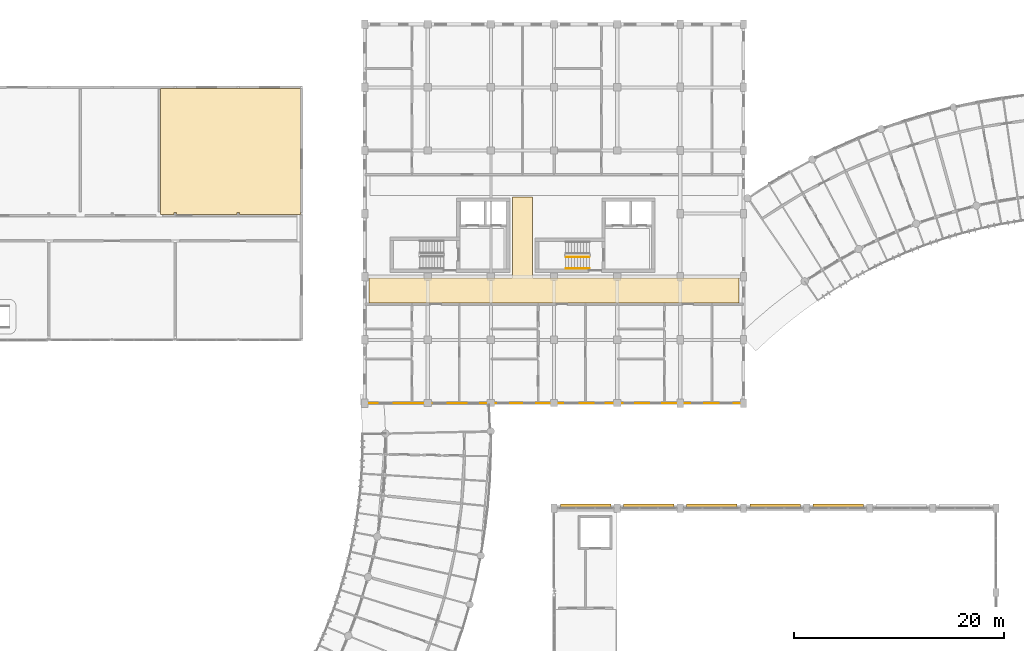
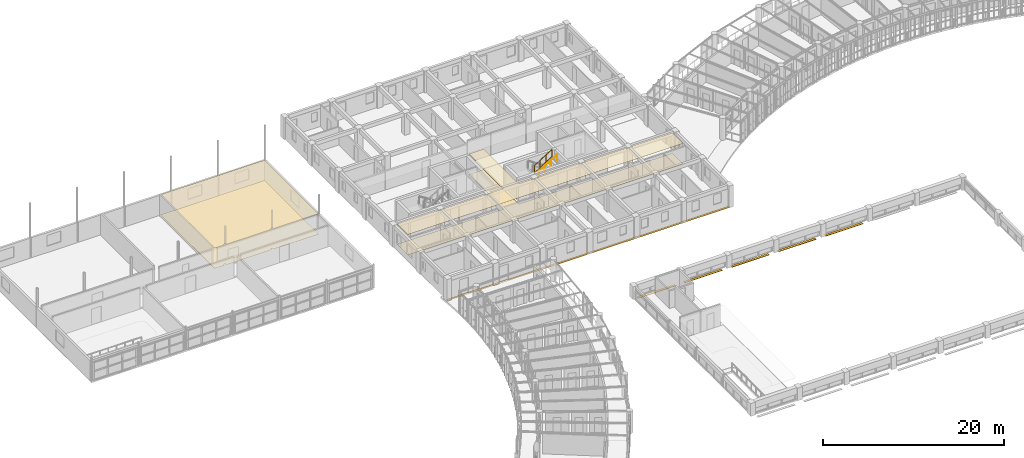
# One storey, part 130 of 137: 5 coverings, 5 shading devices, 2 railings.
"""IFC4 building model written with IfcOpenShell, lengths in metres."""

from ifc_helpers import new_model, si_unit, direction, frame, origin, origin_2d, place, context, subcontext, project, spatial, polyline, rectangle, circle, outline, extrude, material, layer, layer_set, type_object, element, save


model = new_model("IFC4")

# Units and contexts
model_context = context("Model", 3, precision=1e-05, world=origin(), true_north=direction((0.0, 1.0)))
body_context = subcontext(model_context, "Body", "Model", "MODEL_VIEW")
ifc_project = project(units=[si_unit("LENGTHUNIT", "METRE"), si_unit("AREAUNIT", "SQUARE_METRE"), si_unit("VOLUMEUNIT", "CUBIC_METRE"), si_unit("PLANEANGLEUNIT", "RADIAN"), si_unit("MASSUNIT", "GRAM", prefix="KILO"), si_unit("POWERUNIT", "WATT"), si_unit("THERMODYNAMICTEMPERATUREUNIT", "KELVIN")], contexts=[model_context])

# Site, building, storey
site_placement = place(None, origin())
site = spatial("IfcSite", under=ifc_project, at=site_placement, CompositionType="ELEMENT")
building_placement = place(site_placement, origin())
building = spatial("IfcBuilding", under=site, at=building_placement, Name="Ruvembo Vaulted Housing Court", CompositionType="ELEMENT")
storey_placement = place(building_placement, frame((0.0, 0.0, 4.5)))
storey = spatial("IfcBuildingStorey", under=building, at=storey_placement, Name="L01", CompositionType="ELEMENT", Elevation=4.5)

# Coverings
ifc_material_1 = material(Name="Perforated Mineral-Fibre Acoustic Tile", Category="gypsum")
ifc_layer_1 = layer(ifc_material_1, 0.02001953125, Name="Perforated Mineral-Fibre Acoustic Tile")
ifc_layer_set_1 = layer_set([ifc_layer_1], Name="Perforated Mineral-Fibre Acoustic Tile")
covering_type_1 = type_object("IfcCoveringType", Name="COV-CEIL-ACOUST", PredefinedType="CEILING", material=ifc_layer_set_1)
covering_1_placement = place(storey_placement, frame((0.0, 0.0, 2.75)))
element("IfcCovering", 1, at=covering_1_placement, inside=storey, type_object=covering_type_1, Name="Indoor Rainy-Day Play Terrace Ceiling", PredefinedType="CEILING", context=body_context, shape_type="SweptSolid", body=[
    extrude(outline(polyline([(30.110107421875, 107.889892578125), (29.889892578125, 107.889892578125), (28.610107421875, 107.889892578125), (28.610107421875, 95.909912109375), (29.889892578125, 95.909912109375), (29.889892578125, 96.110107421875), (30.110107421875, 96.110107421875), (30.110107421875, 95.909912109375), (35.889892578125, 95.909912109375), (35.889892578125, 96.110107421875), (36.110107421875, 96.110107421875), (36.110107421875, 95.909912109375), (41.889892578125, 95.909912109375), (41.889892578125, 96.110107421875), (41.889892578125, 107.889892578125), (36.110107421875, 107.889892578125), (35.889892578125, 107.889892578125), (30.110107421875, 107.889892578125)])), origin(), (0.0, 0.0, 1.0), 0.02001953125),
])
covering_2_placement = place(storey_placement, frame((0.0, 0.0, 2.75)))
element("IfcCovering", 2, at=covering_2_placement, inside=storey, type_object=covering_type_1, Name="Block B L01 Corridor Ceiling", PredefinedType="CEILING", context=body_context, shape_type="SweptSolid", body=[
    extrude(outline(polyline([(61.949951171875, 89.889892578125), (48.409912109375, 89.889892578125), (48.409912109375, 87.510009765625), (83.590087890625, 87.510009765625), (83.590087890625, 89.889892578125), (64.050048828125, 89.889892578125), (64.039306640625, 89.890380859375), (64.028564453125, 89.89208984375), (64.01806640625, 89.894775390625), (64.0078125, 89.8984375), (63.998046875, 89.903076171875), (63.989013671875, 89.908447265625), (63.980224609375, 89.9150390625), (63.97216796875, 89.922119140625), (63.965087890625, 89.93017578125), (63.95849609375, 89.93896484375), (63.952880859375, 89.947998046875), (63.948486328125, 89.9580078125), (63.944580078125, 89.968017578125), (63.942138671875, 89.978515625), (63.9404296875, 89.9892578125), (63.93994140625, 90.0), (63.93994140625, 97.590087890625), (62.06005859375, 97.590087890625), (62.06005859375, 90.0), (62.0595703125, 89.9892578125), (62.057861328125, 89.978515625), (62.055419921875, 89.968017578125), (62.051513671875, 89.9580078125), (62.047119140625, 89.947998046875), (62.04150390625, 89.93896484375), (62.034912109375, 89.93017578125), (62.02783203125, 89.922119140625), (62.019775390625, 89.9150390625), (62.010986328125, 89.908447265625), (62.001953125, 89.903076171875), (61.9921875, 89.8984375), (61.98193359375, 89.894775390625), (61.971435546875, 89.89208984375), (61.960693359375, 89.890380859375), (61.949951171875, 89.889892578125)])), origin(), (0.0, 0.0, 1.0), 0.02001953125),
])
ifc_material_2 = material(Name="Lime-Cement Mineral Render", Category="plaster")
ifc_layer_2 = layer(ifc_material_2, 0.02490234375, Name="Lime-Cement Mineral Render")
ifc_layer_set_2 = layer_set([ifc_layer_2], Name="Lime-Cement Mineral Render")
covering_type_2 = type_object("IfcCoveringType", Name="COV-CLAD-RENDER", PredefinedType="CLADDING", material=ifc_layer_set_2)
covering_3_placement = place(storey_placement, frame((0.0, 0.0, -0.25)))
element("IfcCovering", 3, at=covering_3_placement, inside=storey, type_object=covering_type_2, Name="Block B L01 Mineral Render Fascia Band", PredefinedType="CLADDING", context=body_context, shape_type="SweptSolid", body=[
    extrude(outline(polyline([(48.0, 77.969970703125), (84.0, 77.969970703125), (84.0, 78.0), (48.0, 78.0), (48.0, 77.969970703125)])), origin(), (0.0, 0.0, 1.0), 0.25),
])
ifc_material_3 = material(Name="Polished Cement-Aggregate Terrazzo", Category="stone")
ifc_layer_3 = layer(ifc_material_3, 0.02197265625, Name="Polished Cement-Aggregate Terrazzo")
ifc_layer_set_3 = layer_set([ifc_layer_3], Name="Polished Cement-Aggregate Terrazzo")
covering_type_3 = type_object("IfcCoveringType", Name="COV-FLR-CERAMIC", PredefinedType="FLOORING", material=ifc_layer_set_3)
covering_4_placement = place(storey_placement, origin())
element("IfcCovering", 4, at=covering_4_placement, inside=storey, type_object=covering_type_3, Name="Indoor Rainy-Day Play Terrace Flooring", PredefinedType="FLOORING", context=body_context, shape_type="SweptSolid", body=[
    extrude(outline(polyline([(30.110107421875, 107.889892578125), (29.889892578125, 107.889892578125), (28.610107421875, 107.889892578125), (28.610107421875, 95.909912109375), (29.889892578125, 95.909912109375), (29.889892578125, 96.110107421875), (30.110107421875, 96.110107421875), (30.110107421875, 95.909912109375), (35.889892578125, 95.909912109375), (35.889892578125, 96.110107421875), (36.110107421875, 96.110107421875), (36.110107421875, 95.909912109375), (41.889892578125, 95.909912109375), (41.889892578125, 96.110107421875), (41.889892578125, 107.889892578125), (36.110107421875, 107.889892578125), (35.889892578125, 107.889892578125), (30.110107421875, 107.889892578125)])), origin(), (0.0, 0.0, 1.0), 0.02197265625),
])
covering_5_placement = place(storey_placement, origin())
element("IfcCovering", 5, at=covering_5_placement, inside=storey, type_object=covering_type_3, Name="Block B L01 Corridor Flooring", PredefinedType="FLOORING", context=body_context, shape_type="SweptSolid", body=[
    extrude(outline(polyline([(61.949951171875, 89.889892578125), (48.409912109375, 89.889892578125), (48.409912109375, 87.510009765625), (83.590087890625, 87.510009765625), (83.590087890625, 89.889892578125), (64.050048828125, 89.889892578125), (64.039306640625, 89.890380859375), (64.028564453125, 89.89208984375), (64.01806640625, 89.894775390625), (64.0078125, 89.8984375), (63.998046875, 89.903076171875), (63.989013671875, 89.908447265625), (63.980224609375, 89.9150390625), (63.97216796875, 89.922119140625), (63.965087890625, 89.93017578125), (63.95849609375, 89.93896484375), (63.952880859375, 89.947998046875), (63.948486328125, 89.9580078125), (63.944580078125, 89.968017578125), (63.942138671875, 89.978515625), (63.9404296875, 89.9892578125), (63.93994140625, 90.0), (63.93994140625, 97.590087890625), (62.06005859375, 97.590087890625), (62.06005859375, 90.0), (62.0595703125, 89.9892578125), (62.057861328125, 89.978515625), (62.055419921875, 89.968017578125), (62.051513671875, 89.9580078125), (62.047119140625, 89.947998046875), (62.04150390625, 89.93896484375), (62.034912109375, 89.93017578125), (62.02783203125, 89.922119140625), (62.019775390625, 89.9150390625), (62.010986328125, 89.908447265625), (62.001953125, 89.903076171875), (61.9921875, 89.8984375), (61.98193359375, 89.894775390625), (61.971435546875, 89.89208984375), (61.960693359375, 89.890380859375), (61.949951171875, 89.889892578125)])), origin(), (0.0, 0.0, 1.0), 0.02197265625),
])

# Railings
ifc_material_4 = material(Name="Painted Galvanised Steel S275", Category="steel")
ifc_layer_4 = layer(ifc_material_4, 0.06005859375, Name="Painted Galvanised Steel S275")
ifc_layer_set_4 = layer_set([ifc_layer_4], Name="Painted Galvanised Steel S275")
railing_type_1 = type_object("IfcRailingType", Name="RL-STAIR-GR1100", PredefinedType="GUARDRAIL", material=ifc_layer_set_4)
railing_1_placement = place(storey_placement, frame((67.110107421875, 91.89990234375, 1.77783203125)))
element("IfcRailing", 6, at=railing_1_placement, inside=storey, type_object=railing_type_1, Name="L01 ST-B2 stair guard 3", PredefinedType="GUARDRAIL", context=body_context, shape_type="SweptSolid", body=[
    extrude(circle(Radius=0.02392578125, at=origin_2d()), frame((0.0, 0.0, 1.076171875), z_axis=(0.8442293374, 0.0, 0.53598211339), x_axis=(0.0, 1.0, 0.0)), (0.0, 0.0, 1.0), 2.6533203125),
    extrude(circle(Radius=0.01806640625, at=origin_2d()), frame((0.0, 0.0, 0.1201171875), z_axis=(0.8442293374, 0.0, 0.53598211339), x_axis=(0.0, 1.0, 0.0)), (0.0, 0.0, 1.0), 2.6533203125),
    extrude(circle(Radius=0.02099609375, at=origin_2d()), origin(), (0.0, 0.0, 1.0), 1.052001953125),
    extrude(circle(Radius=0.02099609375, at=origin_2d()), frame((0.74658203125, 0.0, 0.47412109375)), (0.0, 0.0, 1.0), 1.052001953125),
    extrude(circle(Radius=0.02099609375, at=origin_2d()), frame((1.493408203125, 0.0, 0.947998046875)), (0.0, 0.0, 1.0), 1.052001953125),
    extrude(circle(Radius=0.02099609375, at=origin_2d()), frame((2.239990234375, 0.0, 1.422119140625)), (0.0, 0.0, 1.0), 1.052001953125),
])
ifc_material_5 = material(Name="Brushed Stainless Steel 304", Category="steel")
ifc_layer_5 = layer(ifc_material_5, 0.050048828125, Name="Brushed Stainless Steel 304")
ifc_layer_set_5 = layer_set([ifc_layer_5], Name="Brushed Stainless Steel 304")
railing_type_2 = type_object("IfcRailingType", Name="RL-STAIR-HR920", PredefinedType="HANDRAIL", material=ifc_layer_set_5)
railing_2_placement = place(storey_placement, frame((67.110107421875, 90.800048828125, 1.959228515625)))
element("IfcRailing", 7, at=railing_2_placement, inside=storey, type_object=railing_type_2, Name="L01 ST-B2 stair handrail 2", PredefinedType="HANDRAIL", context=body_context, shape_type="SweptSolid", body=[
    extrude(circle(Radius=0.02392578125, at=origin_2d()), frame((0.0, 0.0, 0.8759765625), z_axis=(0.84418770128, 0.0, 0.536047689118), x_axis=(0.0, 1.0, 0.0)), (0.0, 0.0, 1.0), 2.6533203125),
    extrude(circle(Radius=0.02099609375, at=origin_2d()), origin(), (0.0, 0.0, 1.0), 0.851806640625),
    extrude(circle(Radius=0.02099609375, at=origin_2d()), frame((0.74658203125, 0.0, 0.47412109375)), (0.0, 0.0, 1.0), 0.851806640625),
    extrude(circle(Radius=0.02099609375, at=origin_2d()), frame((1.493408203125, 0.0, 0.9482421875)), (0.0, 0.0, 1.0), 0.851806640625),
    extrude(circle(Radius=0.02099609375, at=origin_2d()), frame((2.239990234375, 0.0, 1.42236328125)), (0.0, 0.0, 1.0), 0.851806640625),
])

# Shading devices
ifc_material_6 = material(Name="Anodised Aluminium 6063-T6", Category="aluminium")
shading_device_type = type_object("IfcShadingDeviceType", Name="SHD-LOUVRE-300", PredefinedType="JALOUSIE", material=ifc_material_6)
for number, where, z_axis, x_axis, name in (
    (8, (69.0, 68.25, -0.4775390625), (0.0, 0.0, 1.0), (1.0, 0.0, 0.0), "Hall Solar Louvre N1"),
    (9, (75.0, 68.25, -0.4775390625), (0.0, 0.0, 1.0), (1.0, 0.0, 0.0), "Hall Solar Louvre N2"),
    (10, (81.0, 68.25, -0.4775390625), (0.0, 0.0, 1.0), (1.0, 0.0, 0.0), "Hall Solar Louvre N3"),
    (11, (87.0, 68.25, -0.4775390625), (0.0, 0.0, 1.0), (1.0, 0.0, 0.0), "Hall Solar Louvre N4"),
    (12, (93.0, 68.25, -0.4775390625), (0.0, 0.0, 1.0), (1.0, 0.0, 0.0), "Hall Solar Louvre N5"),
):
    element("IfcShadingDevice", number, at=place(storey_placement, frame(where, z_axis=z_axis, x_axis=x_axis)), inside=storey, type_object=shading_device_type, Name=name, PredefinedType="JALOUSIE", context=body_context, shape_type="SweptSolid", body=[
        extrude(rectangle(XDim=4.800048828125, YDim=0.300048828125, at=origin_2d()), origin(), (0.0, 0.0, 1.0), 0.054931640625),
    ])

save(model, "model.ifc")
